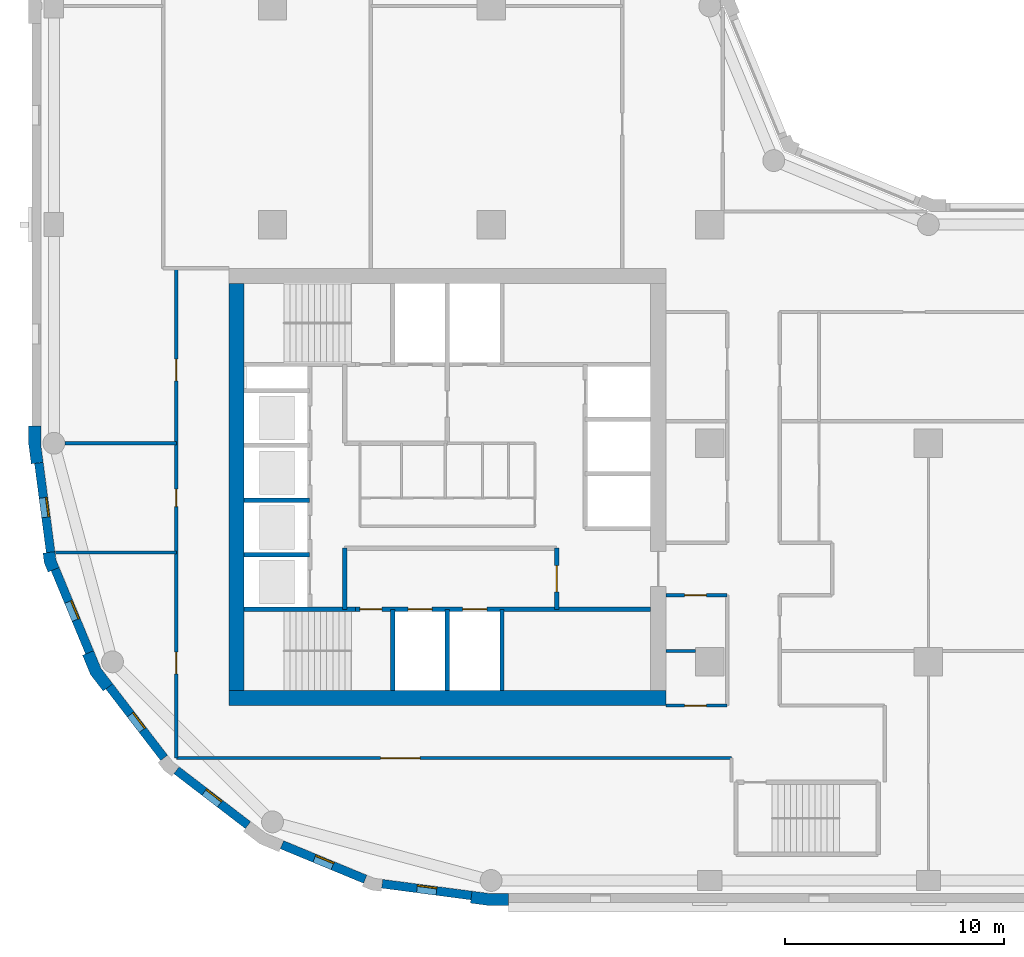
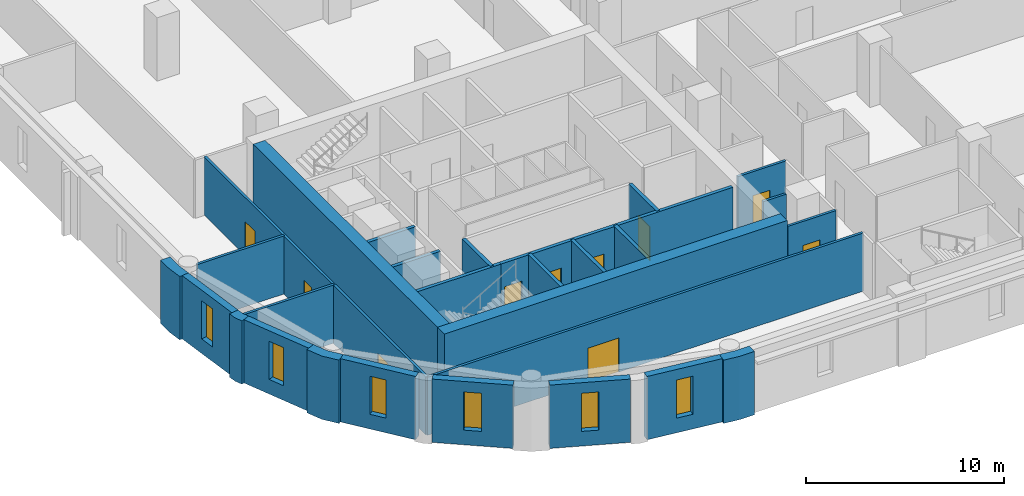
# One storey, part 2 of 10: 28 walls, 10 doors, 6 windows, 16 openings.
"""IFC4 building model written with IfcOpenShell, lengths in metres."""

from ifc_helpers import new_model, si_unit, direction, frame, frame_2d, origin, place, context, subcontext, project, spatial, polyline, rectangle, outline, extrude, material, layer, layer_set, type_object, element, fill, save


model = new_model("IFC4")

# Units and contexts
model_context = context("Model", 3, precision=1e-05, world=origin(), true_north=direction((0.0, 1.0)))
body_context = subcontext(model_context, "Body", "Model", "MODEL_VIEW")
ifc_project = project(units=[si_unit("LENGTHUNIT", "METRE"), si_unit("AREAUNIT", "SQUARE_METRE"), si_unit("VOLUMEUNIT", "CUBIC_METRE"), si_unit("PLANEANGLEUNIT", "RADIAN"), si_unit("MASSUNIT", "GRAM", prefix="KILO")], contexts=[model_context])

# Site, building, storey
site_placement = place(None, origin())
site = spatial("IfcSite", under=ifc_project, at=site_placement, CompositionType="ELEMENT")
building_placement = place(site_placement, origin())
building = spatial("IfcBuilding", under=site, at=building_placement, Name="Qaws Garden Tower", CompositionType="ELEMENT")
storey_placement = place(building_placement, frame((0.0, 0.0, 182.39990234375)))
storey = spatial("IfcBuildingStorey", under=building, at=storey_placement, Name="L44", CompositionType="ELEMENT", Elevation=182.39990234375)

# Wall, opening, window
ifc_material_1 = material(Name="Clay facing brick masonry", Category="masonry")
ifc_layer_1 = layer(ifc_material_1, 0.39990234375)
ifc_layer_set_1 = layer_set([ifc_layer_1], Name="Clay facing brick masonry")
wall_type_1 = type_object("IfcWallType", Name="Brick infill wall 400", PredefinedType="SOLIDWALL", material=ifc_layer_set_1)
wall_1_placement = place(storey_placement, frame((-0.688720703125, 19.102294921875, 0.0), z_axis=(0.0, 0.0, 1.0), x_axis=(0.130514280502, -0.991446429508, 0.0)))
wall_1 = element("IfcWall", 1, at=wall_1_placement, inside=storey, type_object=wall_type_1, Name="E-L44-infill-25", PredefinedType="SOLIDWALL", context=body_context, shape_type="SweptSolid", body=[
    extrude(rectangle(XDim=4.120849609375, YDim=0.39990234375, at=frame_2d((2.060546875, 0.0))), origin(), (0.0, 0.0, 1.0), 3.900146484375),
])
opening_1_placement = place(wall_1_placement, frame((1.610595703125, 0.0, 0.89990234375)))
opening_1 = element("IfcOpeningElement", 2, at=opening_1_placement, cuts=wall_1, Name="Opening W09", PredefinedType="OPENING", context=body_context, shape_type="SweptSolid", body=[
    extrude(rectangle(XDim=0.89990234375, YDim=2.35009765625, at=frame_2d((0.449951171875, 1.175048828125))), frame((0.0, 0.2099609375, 0.0), z_axis=(0.0, -1.0, 0.0), x_axis=(1.0, 0.0, 0.0)), (0.0, 0.0, 1.0), 0.419921875),
])
ifc_material_2 = material(Name="Aluminium framed window, clear glazing", Category="aluminium")
window_type = type_object("IfcWindowType", Name="Slit window 900 x 2350", PartitioningType="SINGLE_PANEL", PredefinedType="WINDOW", material=ifc_material_2)
window_1_placement = place(opening_1_placement, origin())
window_1 = element("IfcWindow", 3, at=window_1_placement, inside=storey, type_object=window_type, Name="E-L44-window-25-0", OverallHeight=2.35009765625, OverallWidth=0.89990234375, PartitioningType="SINGLE_PANEL", PredefinedType="WINDOW", context=body_context, shape_type="SweptSolid", body=[
    extrude(rectangle(XDim=0.89990234375, YDim=2.35009765625, at=frame_2d((0.449951171875, 1.175048828125))), frame((0.0, 0.159912109375, 0.0), z_axis=(0.0, -1.0, 0.0), x_axis=(1.0, 0.0, 0.0)), (0.0, 0.0, 1.0), 0.06005859375),
])
fill(opening_1, window_1)

wall_2_placement = place(storey_placement, frame((0.05712890625, 14.240234375, 0.0), z_axis=(0.0, 0.0, 1.0), x_axis=(0.382721546029, -0.923863744394, 0.0)))
wall_2 = element("IfcWall", 4, at=wall_2_placement, inside=storey, type_object=wall_type_1, Name="E-L44-infill-26", PredefinedType="SOLIDWALL", context=body_context, shape_type="SweptSolid", body=[
    extrude(rectangle(XDim=4.120849609375, YDim=0.39990234375, at=frame_2d((2.060546875, 0.0))), origin(), (0.0, 0.0, 1.0), 3.900146484375),
])
opening_2_placement = place(wall_2_placement, frame((1.610595703125, 0.0, 0.89990234375)))
opening_2 = element("IfcOpeningElement", 5, at=opening_2_placement, cuts=wall_2, Name="Opening W09", PredefinedType="OPENING", context=body_context, shape_type="SweptSolid", body=[
    extrude(rectangle(XDim=0.89990234375, YDim=2.35009765625, at=frame_2d((0.449951171875, 1.175048828125))), frame((0.0, 0.2099609375, 0.0), z_axis=(0.0, -1.0, 0.0), x_axis=(1.0, 0.0, 0.0)), (0.0, 0.0, 1.0), 0.419921875),
])
window_2_placement = place(opening_2_placement, origin())
window_2 = element("IfcWindow", 6, at=window_2_placement, inside=storey, type_object=window_type, Name="E-L44-window-26-0", OverallHeight=2.35009765625, OverallWidth=0.89990234375, PartitioningType="SINGLE_PANEL", PredefinedType="WINDOW", context=body_context, shape_type="SweptSolid", body=[
    extrude(rectangle(XDim=0.89990234375, YDim=2.35009765625, at=frame_2d((0.449951171875, 1.175048828125))), frame((0.0, 0.159912109375, 0.0), z_axis=(0.0, -1.0, 0.0), x_axis=(1.0, 0.0, 0.0)), (0.0, 0.0, 1.0), 0.06005859375),
])
fill(opening_2, window_2)

wall_3_placement = place(storey_placement, frame((2.53173828125, 8.87841796875, 0.0), z_axis=(0.0, 0.0, 1.0), x_axis=(0.608759824817, -0.793354571229, 0.0)))
wall_3 = element("IfcWall", 7, at=wall_3_placement, inside=storey, type_object=wall_type_1, Name="E-L44-infill-27", PredefinedType="SOLIDWALL", context=body_context, shape_type="SweptSolid", body=[
    extrude(rectangle(XDim=4.12109375, YDim=0.39990234375, at=frame_2d((2.060546875, 0.0))), origin(), (0.0, 0.0, 1.0), 3.900146484375),
])
opening_3_placement = place(wall_3_placement, frame((1.610595703125, 0.0, 0.89990234375)))
opening_3 = element("IfcOpeningElement", 8, at=opening_3_placement, cuts=wall_3, Name="Opening W09", PredefinedType="OPENING", context=body_context, shape_type="SweptSolid", body=[
    extrude(rectangle(XDim=0.89990234375, YDim=2.35009765625, at=frame_2d((0.449951171875, 1.175048828125))), frame((0.0, 0.2099609375, 0.0), z_axis=(0.0, -1.0, 0.0), x_axis=(1.0, 0.0, 0.0)), (0.0, 0.0, 1.0), 0.419921875),
])
window_3_placement = place(opening_3_placement, origin())
window_3 = element("IfcWindow", 9, at=window_3_placement, inside=storey, type_object=window_type, Name="E-L44-window-27-0", OverallHeight=2.35009765625, OverallWidth=0.89990234375, PartitioningType="SINGLE_PANEL", PredefinedType="WINDOW", context=body_context, shape_type="SweptSolid", body=[
    extrude(rectangle(XDim=0.89990234375, YDim=2.35009765625, at=frame_2d((0.449951171875, 1.175048828125))), frame((0.0, 0.159912109375, 0.0), z_axis=(0.0, -1.0, 0.0), x_axis=(1.0, 0.0, 0.0)), (0.0, 0.0, 1.0), 0.06005859375),
])
fill(opening_3, window_3)

wall_4_placement = place(storey_placement, frame((5.60888671875, 5.04052734375, 0.0), z_axis=(0.0, 0.0, 1.0), x_axis=(0.793354571229, -0.608759824817, 0.0)))
wall_4 = element("IfcWall", 10, at=wall_4_placement, inside=storey, type_object=wall_type_1, Name="E-L44-infill-28", PredefinedType="SOLIDWALL", context=body_context, shape_type="SweptSolid", body=[
    extrude(rectangle(XDim=4.12109375, YDim=0.39990234375, at=frame_2d((2.060546875, 0.0))), origin(), (0.0, 0.0, 1.0), 3.900146484375),
])
opening_4_placement = place(wall_4_placement, frame((1.610595703125, 0.0, 0.89990234375)))
opening_4 = element("IfcOpeningElement", 11, at=opening_4_placement, cuts=wall_4, Name="Opening W09", PredefinedType="OPENING", context=body_context, shape_type="SweptSolid", body=[
    extrude(rectangle(XDim=0.89990234375, YDim=2.35009765625, at=frame_2d((0.449951171875, 1.175048828125))), frame((0.0, 0.2099609375, 0.0), z_axis=(0.0, -1.0, 0.0), x_axis=(1.0, 0.0, 0.0)), (0.0, 0.0, 1.0), 0.419921875),
])
window_4_placement = place(opening_4_placement, origin())
window_4 = element("IfcWindow", 12, at=window_4_placement, inside=storey, type_object=window_type, Name="E-L44-window-28-0", OverallHeight=2.35009765625, OverallWidth=0.89990234375, PartitioningType="SINGLE_PANEL", PredefinedType="WINDOW", context=body_context, shape_type="SweptSolid", body=[
    extrude(rectangle(XDim=0.89990234375, YDim=2.35009765625, at=frame_2d((0.449951171875, 1.175048828125))), frame((0.0, 0.159912109375, 0.0), z_axis=(0.0, -1.0, 0.0), x_axis=(1.0, 0.0, 0.0)), (0.0, 0.0, 1.0), 0.06005859375),
])
fill(opening_4, window_4)

wall_5_placement = place(storey_placement, frame((10.43310546875, 1.63427734375, 0.0), z_axis=(0.0, 0.0, 1.0), x_axis=(0.923863744394, -0.382721546029, 0.0)))
wall_5 = element("IfcWall", 13, at=wall_5_placement, inside=storey, type_object=wall_type_1, Name="E-L44-infill-29", PredefinedType="SOLIDWALL", context=body_context, shape_type="SweptSolid", body=[
    extrude(rectangle(XDim=4.120849609375, YDim=0.39990234375, at=frame_2d((2.060546875, 0.0))), origin(), (0.0, 0.0, 1.0), 3.900146484375),
])
opening_5_placement = place(wall_5_placement, frame((1.610595703125, 0.0, 0.89990234375)))
opening_5 = element("IfcOpeningElement", 14, at=opening_5_placement, cuts=wall_5, Name="Opening W09", PredefinedType="OPENING", context=body_context, shape_type="SweptSolid", body=[
    extrude(rectangle(XDim=0.89990234375, YDim=2.35009765625, at=frame_2d((0.449951171875, 1.175048828125))), frame((0.0, 0.2099609375, 0.0), z_axis=(0.0, -1.0, 0.0), x_axis=(1.0, 0.0, 0.0)), (0.0, 0.0, 1.0), 0.419921875),
])
window_5_placement = place(opening_5_placement, origin())
window_5 = element("IfcWindow", 15, at=window_5_placement, inside=storey, type_object=window_type, Name="E-L44-window-29-0", OverallHeight=2.35009765625, OverallWidth=0.89990234375, PartitioningType="SINGLE_PANEL", PredefinedType="WINDOW", context=body_context, shape_type="SweptSolid", body=[
    extrude(rectangle(XDim=0.89990234375, YDim=2.35009765625, at=frame_2d((0.449951171875, 1.175048828125))), frame((0.0, 0.159912109375, 0.0), z_axis=(0.0, -1.0, 0.0), x_axis=(1.0, 0.0, 0.0)), (0.0, 0.0, 1.0), 0.06005859375),
])
fill(opening_5, window_5)

wall_6_placement = place(storey_placement, frame((15.0166015625, -0.15087890625, 0.0), z_axis=(0.0, 0.0, 1.0), x_axis=(0.991446429508, -0.130514280502, 0.0)))
wall_6 = element("IfcWall", 16, at=wall_6_placement, inside=storey, type_object=wall_type_1, Name="E-L44-infill-30", PredefinedType="SOLIDWALL", context=body_context, shape_type="SweptSolid", body=[
    extrude(rectangle(XDim=4.120849609375, YDim=0.39990234375, at=frame_2d((2.060546875, 0.0))), origin(), (0.0, 0.0, 1.0), 3.900146484375),
])
opening_6_placement = place(wall_6_placement, frame((1.610595703125, 0.0, 0.89990234375)))
opening_6 = element("IfcOpeningElement", 17, at=opening_6_placement, cuts=wall_6, Name="Opening W09", PredefinedType="OPENING", context=body_context, shape_type="SweptSolid", body=[
    extrude(rectangle(XDim=0.89990234375, YDim=2.35009765625, at=frame_2d((0.449951171875, 1.175048828125))), frame((0.0, 0.2099609375, 0.0), z_axis=(0.0, -1.0, 0.0), x_axis=(1.0, 0.0, 0.0)), (0.0, 0.0, 1.0), 0.419921875),
])
window_6_placement = place(opening_6_placement, origin())
window_6 = element("IfcWindow", 18, at=window_6_placement, inside=storey, type_object=window_type, Name="E-L44-window-30-0", OverallHeight=2.35009765625, OverallWidth=0.89990234375, PartitioningType="SINGLE_PANEL", PredefinedType="WINDOW", context=body_context, shape_type="SweptSolid", body=[
    extrude(rectangle(XDim=0.89990234375, YDim=2.35009765625, at=frame_2d((0.449951171875, 1.175048828125))), frame((0.0, 0.159912109375, 0.0), z_axis=(0.0, -1.0, 0.0), x_axis=(1.0, 0.0, 0.0)), (0.0, 0.0, 1.0), 0.06005859375),
])
fill(opening_6, window_6)

# Walls
ifc_material_3 = material(Name="Clay facing brick masonry", Category="masonry")
ifc_layer_2 = layer(ifc_material_3, 0.550048828125)
ifc_layer_set_2 = layer_set([ifc_layer_2], Name="Clay facing brick masonry")
wall_type_2 = type_object("IfcWallType", Name="Brick kink pier 550 x 600", PredefinedType="SOLIDWALL", material=ifc_layer_set_2)
placement = place(storey_placement, origin())
element("IfcWall", 19, at=placement, inside=storey, type_object=wall_type_2, Name="E-L44-pier-26", PredefinedType="SOLIDWALL", context=body_context, shape_type="SweptSolid", body=[
    extrude(outline(polyline([(-0.34912109375, 14.990478515625), (-0.497802734375, 14.970947265625), (-0.43896484375, 14.5234375), (-0.26611328125, 14.1064453125), (-0.127685546875, 14.163818359375), (0.241943359375, 14.31689453125), (0.096923828125, 14.6669921875), (0.04736328125, 15.042724609375), (-0.34912109375, 14.990478515625)])), origin(), (0.0, 0.0, 1.0), 3.900146484375),
])
ifc_material_4 = material(Name="Clay facing brick masonry", Category="masonry")
ifc_layer_3 = layer(ifc_material_4, 0.550048828125)
ifc_layer_set_3 = layer_set([ifc_layer_3], Name="Clay facing brick masonry")
wall_type_3 = type_object("IfcWallType", Name="Brick pier 550 x 1600", PredefinedType="SOLIDWALL", material=ifc_layer_set_3)
element("IfcWall", 20, at=placement, inside=storey, type_object=wall_type_3, Name="E-L44-pier-00", PredefinedType="SOLIDWALL", context=body_context, shape_type="SweptSolid", body=[
    extrude(outline(polyline([(19.076416015625, -0.886962890625), (19.056640625, -1.03564453125), (19.924560546875, -1.14990234375), (20.800048828125, -1.14990234375), (20.800048828125, -1.0), (20.800048828125, -0.60009765625), (19.960693359375, -0.60009765625), (19.12841796875, -0.490478515625), (19.076416015625, -0.886962890625)])), origin(), (0.0, 0.0, 1.0), 3.900146484375),
])
element("IfcWall", 21, at=placement, inside=storey, type_object=wall_type_3, Name="E-L44-pier-25", PredefinedType="SOLIDWALL", context=body_context, shape_type="SweptSolid", body=[
    extrude(outline(polyline([(-1.0, 20.800048828125), (-1.14990234375, 20.800048828125), (-1.14990234375, 19.924560546875), (-1.03564453125, 19.056640625), (-0.886962890625, 19.076416015625), (-0.490478515625, 19.12841796875), (-0.60009765625, 19.960693359375), (-0.60009765625, 20.800048828125), (-1.0, 20.800048828125)])), origin(), (0.0, 0.0, 1.0), 3.900146484375),
])
element("IfcWall", 22, at=placement, inside=storey, type_object=wall_type_3, Name="E-L44-pier-27", PredefinedType="SOLIDWALL", context=body_context, shape_type="SweptSolid", body=[
    extrude(outline(polyline([(1.449462890625, 10.3564453125), (1.310791015625, 10.299072265625), (1.675048828125, 9.419921875), (2.254150390625, 8.665283203125), (2.373046875, 8.756591796875), (2.6904296875, 9.0), (2.1552734375, 9.697509765625), (1.819091796875, 10.509521484375), (1.449462890625, 10.3564453125)])), origin(), (0.0, 0.0, 1.0), 3.900146484375),
])
ifc_material_5 = material(Name="Concrete C70", Category="concrete")
ifc_layer_4 = layer(ifc_material_5, 0.199951171875)
ifc_layer_set_4 = layer_set([ifc_layer_4], Name="Concrete C70")
wall_type_4 = type_object("IfcWallType", Name="Core shaft wall 200 C70", PredefinedType="SHEAR", material=ifc_layer_set_4)
wall_11_placement = place(storey_placement, frame((8.699951171875, 12.39990234375, 0.0), z_axis=(0.0, 0.0, 1.0), x_axis=(1.0, 0.0, 0.0)))
element("IfcWall", 23, at=wall_11_placement, inside=storey, type_object=wall_type_4, Name="Shaft wall", PredefinedType="SHEAR", context=body_context, shape_type="SweptSolid", body=[
    extrude(rectangle(XDim=5.10009765625, YDim=0.199951171875, at=frame_2d((2.550048828125, 0.0))), origin(), (0.0, 0.0, 1.0), 3.580078125),
])

# Wall, openings, doors
wall_12_placement = place(storey_placement, frame((13.800048828125, 12.39990234375, 0.0), z_axis=(0.0, 0.0, 1.0), x_axis=(1.0, 0.0, 0.0)))
wall_12 = element("IfcWall", 24, at=wall_12_placement, inside=storey, type_object=wall_type_4, Name="Shaft wall", PredefinedType="SHEAR", context=body_context, shape_type="SweptSolid", body=[
    extrude(rectangle(XDim=13.5, YDim=0.199951171875, at=frame_2d((6.75, 0.0))), origin(), (0.0, 0.0, 1.0), 3.580078125),
])
opening_7_placement = place(wall_12_placement, frame((2.39990234375, 0.0, 0.0)))
opening_7 = element("IfcOpeningElement", 25, at=opening_7_placement, cuts=wall_12, Name="Opening LD06", PredefinedType="OPENING", context=body_context, shape_type="SweptSolid", body=[
    extrude(rectangle(XDim=1.10009765625, YDim=2.10009765625, at=frame_2d((0.550048828125, 1.050048828125))), frame((0.0, 0.10986328125, 0.0), z_axis=(0.0, -1.0, 0.0), x_axis=(1.0, 0.0, 0.0)), (0.0, 0.0, 1.0), 0.219970703125),
])
opening_8_placement = place(wall_12_placement, frame((4.89990234375, 0.0, 0.0)))
opening_8 = element("IfcOpeningElement", 26, at=opening_8_placement, cuts=wall_12, Name="Opening LD07", PredefinedType="OPENING", context=body_context, shape_type="SweptSolid", body=[
    extrude(rectangle(XDim=1.10009765625, YDim=2.10009765625, at=frame_2d((0.550048828125, 1.050048828125))), frame((0.0, 0.10986328125, 0.0), z_axis=(0.0, -1.0, 0.0), x_axis=(1.0, 0.0, 0.0)), (0.0, 0.0, 1.0), 0.219970703125),
])
opening_9_placement = place(wall_12_placement, frame((0.199951171875, 0.0, 0.0)))
opening_9 = element("IfcOpeningElement", 27, at=opening_9_placement, cuts=wall_12, Name="Opening SD10", PredefinedType="OPENING", context=body_context, shape_type="SweptSolid", body=[
    extrude(rectangle(XDim=1.0, YDim=2.10009765625, at=frame_2d((0.5, 1.050048828125))), frame((0.0, 0.10986328125, 0.0), z_axis=(0.0, -1.0, 0.0), x_axis=(1.0, 0.0, 0.0)), (0.0, 0.0, 1.0), 0.219970703125),
])
ifc_material_6 = material(Name="Steel S235", Category="steel")
door_type_1 = type_object("IfcDoorType", Name="Landing door 1100x2100", OperationType="DOUBLE_DOOR_SLIDING", PredefinedType="DOOR", material=ifc_material_6)
door_1_placement = place(opening_7_placement, origin())
door_1 = element("IfcDoor", 28, at=door_1_placement, inside=storey, type_object=door_type_1, Name="Lift FF1 landing door", OperationType="DOUBLE_DOOR_SLIDING", OverallHeight=2.10009765625, OverallWidth=1.10009765625, PredefinedType="DOOR", context=body_context, shape_type="SweptSolid", body=[
    extrude(rectangle(XDim=1.10009765625, YDim=2.10009765625, at=frame_2d((0.550048828125, 1.050048828125))), frame((0.0, 0.02490234375, 0.0), z_axis=(0.0, -1.0, 0.0), x_axis=(1.0, 0.0, 0.0)), (0.0, 0.0, 1.0), 0.050048828125),
])
fill(opening_7, door_1)
door_2_placement = place(opening_8_placement, origin())
door_2 = element("IfcDoor", 29, at=door_2_placement, inside=storey, type_object=door_type_1, Name="Lift FF2 landing door", OperationType="DOUBLE_DOOR_SLIDING", OverallHeight=2.10009765625, OverallWidth=1.10009765625, PredefinedType="DOOR", context=body_context, shape_type="SweptSolid", body=[
    extrude(rectangle(XDim=1.10009765625, YDim=2.10009765625, at=frame_2d((0.550048828125, 1.050048828125))), frame((0.0, 0.02490234375, 0.0), z_axis=(0.0, -1.0, 0.0), x_axis=(1.0, 0.0, 0.0)), (0.0, 0.0, 1.0), 0.050048828125),
])
fill(opening_8, door_2)
ifc_material_7 = material(Name="Steel S235", Category="steel")
door_type_2 = type_object("IfcDoorType", Name="Stair door 1000x2100", OperationType="SINGLE_SWING_RIGHT", PredefinedType="DOOR", material=ifc_material_7)
door_3_placement = place(opening_9_placement, frame((1.0, 0.0, 0.0), z_axis=(0.0, 0.0, 1.0), x_axis=(-1.0, 0.0, 0.0)))
door_3 = element("IfcDoor", 30, at=door_3_placement, inside=storey, type_object=door_type_2, Name="Stair 1 door", OperationType="SINGLE_SWING_LEFT", OverallHeight=2.10009765625, OverallWidth=1.0, PredefinedType="DOOR", context=body_context, shape_type="SweptSolid", body=[
    extrude(rectangle(XDim=1.0, YDim=2.10009765625, at=frame_2d((0.5, 1.050048828125))), frame((0.0, 0.02490234375, 0.0), z_axis=(0.0, -1.0, 0.0), x_axis=(1.0, 0.0, 0.0)), (0.0, 0.0, 1.0), 0.050048828125),
])
fill(opening_9, door_3)

# Walls
for number, where, z_axis, x_axis, name in (
    (31, (8.699951171875, 14.89990234375, 0.0), (0.0, 0.0, 1.0), (1.0, 0.0, 0.0), "Shaft wall"),
    (32, (8.699951171875, 17.39990234375, 0.0), (0.0, 0.0, 1.0), (1.0, 0.0, 0.0), "Shaft wall"),
):
    element("IfcWall", number, at=place(storey_placement, frame(where, z_axis=z_axis, x_axis=x_axis)), inside=storey, type_object=wall_type_4, Name=name, PredefinedType="SHEAR", context=body_context, shape_type="SweptSolid", body=[
        extrude(rectangle(XDim=3.0, YDim=0.199951171875, at=frame_2d((1.5, 0.0))), origin(), (0.0, 0.0, 1.0), 3.580078125),
    ])
wall_13_placement = place(storey_placement, frame((13.300048828125, 12.39990234375, 0.0), z_axis=(0.0, 0.0, 1.0), x_axis=(0.0, 1.0, 0.0)))
element("IfcWall", 33, at=wall_13_placement, inside=storey, type_object=wall_type_4, Name="Shaft wall", PredefinedType="SHEAR", context=body_context, shape_type="SweptSolid", body=[
    extrude(rectangle(XDim=2.800048828125, YDim=0.199951171875, at=frame_2d((1.39990234375, 0.0))), origin(), (0.0, 0.0, 1.0), 3.580078125),
])
for number, where, z_axis, x_axis, name in (
    (34, (15.5, 8.699951171875, 0.0), (0.0, 0.0, 1.0), (0.0, 1.0, 0.0), "Shaft wall"),
    (35, (18.0, 8.699951171875, 0.0), (0.0, 0.0, 1.0), (0.0, 1.0, 0.0), "Shaft wall"),
    (36, (20.5, 8.699951171875, 0.0), (0.0, 0.0, 1.0), (0.0, 1.0, 0.0), "Shaft wall"),
):
    element("IfcWall", number, at=place(storey_placement, frame(where, z_axis=z_axis, x_axis=x_axis)), inside=storey, type_object=wall_type_4, Name=name, PredefinedType="SHEAR", context=body_context, shape_type="SweptSolid", body=[
        extrude(rectangle(XDim=3.699951171875, YDim=0.199951171875, at=frame_2d((1.85009765625, 0.0))), origin(), (0.0, 0.0, 1.0), 3.580078125),
    ])

# Wall, opening, door
wall_14_placement = place(storey_placement, frame((23.0, 12.39990234375, 0.0), z_axis=(0.0, 0.0, 1.0), x_axis=(0.0, 1.0, 0.0)))
wall_14 = element("IfcWall", 37, at=wall_14_placement, inside=storey, type_object=wall_type_4, Name="Shaft wall", PredefinedType="SHEAR", context=body_context, shape_type="SweptSolid", body=[
    extrude(rectangle(XDim=2.800048828125, YDim=0.199951171875, at=frame_2d((1.39990234375, 0.0))), origin(), (0.0, 0.0, 1.0), 3.580078125),
])
opening_10_placement = place(wall_14_placement, frame((0.800048828125, 0.0, 0.0)))
opening_10 = element("IfcOpeningElement", 38, at=opening_10_placement, cuts=wall_14, Name="Opening FD15", PredefinedType="OPENING", context=body_context, shape_type="SweptSolid", body=[
    extrude(rectangle(XDim=1.199951171875, YDim=2.10009765625, at=frame_2d((0.60009765625, 1.050048828125))), frame((0.0, 0.10986328125, 0.0), z_axis=(0.0, -1.0, 0.0), x_axis=(1.0, 0.0, 0.0)), (0.0, 0.0, 1.0), 0.219970703125),
])
ifc_material_8 = material(Name="Steel S235", Category="steel")
door_type_3 = type_object("IfcDoorType", Name="Lobby door 1200x2100", OperationType="DOUBLE_DOOR_SINGLE_SWING", PredefinedType="DOOR", material=ifc_material_8)
door_4_placement = place(opening_10_placement, origin())
door_4 = element("IfcDoor", 39, at=door_4_placement, inside=storey, type_object=door_type_3, Name="Fire-fighting lobby door", OperationType="DOUBLE_DOOR_SINGLE_SWING", OverallHeight=2.10009765625, OverallWidth=1.199951171875, PredefinedType="DOOR", context=body_context, shape_type="SweptSolid", body=[
    extrude(rectangle(XDim=1.199951171875, YDim=2.10009765625, at=frame_2d((0.60009765625, 1.050048828125))), frame((0.0, 0.02490234375, 0.0), z_axis=(0.0, -1.0, 0.0), x_axis=(1.0, 0.0, 0.0)), (0.0, 0.0, 1.0), 0.050048828125),
])
fill(opening_10, door_4)

# Walls
ifc_material_9 = material(Name="Concrete C70", Category="concrete")
ifc_layer_5 = layer(ifc_material_9, 0.699951171875)
ifc_layer_set_5 = layer_set([ifc_layer_5], Name="Concrete C70")
wall_type_5 = type_object("IfcWallType", Name="Core wall 700 C70", PredefinedType="SHEAR", material=ifc_layer_set_5)
wall_15_placement = place(storey_placement, frame((8.0, 8.35009765625, 0.0), z_axis=(0.0, 0.0, 1.0), x_axis=(1.0, 0.0, 0.0)))
element("IfcWall", 40, at=wall_15_placement, inside=storey, type_object=wall_type_5, Name="Core wall L44 south", PredefinedType="SHEAR", context=body_context, shape_type="SweptSolid", body=[
    extrude(rectangle(XDim=20.0, YDim=0.699951171875, at=frame_2d((10.0, 0.0))), origin(), (0.0, 0.0, 1.0), 3.900146484375),
])
wall_16_placement = place(storey_placement, frame((8.35009765625, 27.300048828125, 0.0), z_axis=(0.0, 0.0, 1.0), x_axis=(0.0, -1.0, 0.0)))
element("IfcWall", 41, at=wall_16_placement, inside=storey, type_object=wall_type_5, Name="Core wall L44 west", PredefinedType="SHEAR", context=body_context, shape_type="SweptSolid", body=[
    extrude(rectangle(XDim=18.60009765625, YDim=0.699951171875, at=frame_2d((9.300048828125, 0.0))), origin(), (0.0, 0.0, 1.0), 3.900146484375),
])

# Wall, openings, doors
ifc_material_10 = material(Name="Gypsum board partition")
ifc_layer_6 = layer(ifc_material_10, 0.14990234375)
ifc_layer_set_6 = layer_set([ifc_layer_6], Name="Gypsum board partition")
wall_type_6 = type_object("IfcWallType", Name="PARTITION 150 EI 60", PredefinedType="PARTITIONING", material=ifc_layer_set_6)
wall_17_placement = place(storey_placement, frame((5.60009765625, 5.60009765625, 0.0), z_axis=(0.0, 0.0, 1.0), x_axis=(0.0, 1.0, 0.0)))
wall_17 = element("IfcWall", 42, at=wall_17_placement, inside=storey, type_object=wall_type_6, Name="O-L44-wall-009", PredefinedType="PARTITIONING", context=body_context, shape_type="SweptSolid", body=[
    extrude(rectangle(XDim=22.39990234375, YDim=0.14990234375, at=frame_2d((11.199951171875, 0.0))), origin(), (0.0, 0.0, 1.0), 3.580078125),
])
opening_11_placement = place(wall_17_placement, frame((3.85009765625, 0.0, 0.0)))
opening_11 = element("IfcOpeningElement", 43, at=opening_11_placement, cuts=wall_17, Name="Opening B501", PredefinedType="OPENING", context=body_context, shape_type="SweptSolid", body=[
    extrude(rectangle(XDim=1.0, YDim=2.10009765625, at=frame_2d((0.5, 1.050048828125))), frame((0.0, 0.0849609375, 0.0), z_axis=(0.0, -1.0, 0.0), x_axis=(1.0, 0.0, 0.0)), (0.0, 0.0, 1.0), 0.169921875),
])
opening_12_placement = place(wall_17_placement, frame((11.5, 0.0, 0.0)))
opening_12 = element("IfcOpeningElement", 44, at=opening_12_placement, cuts=wall_17, Name="Opening B502", PredefinedType="OPENING", context=body_context, shape_type="SweptSolid", body=[
    extrude(rectangle(XDim=0.800048828125, YDim=2.10009765625, at=frame_2d((0.39990234375, 1.050048828125))), frame((0.0, 0.0849609375, 0.0), z_axis=(0.0, -1.0, 0.0), x_axis=(1.0, 0.0, 0.0)), (0.0, 0.0, 1.0), 0.169921875),
])
opening_13_placement = place(wall_17_placement, frame((17.25, 0.0, 0.0)))
opening_13 = element("IfcOpeningElement", 45, at=opening_13_placement, cuts=wall_17, Name="Opening B511", PredefinedType="OPENING", context=body_context, shape_type="SweptSolid", body=[
    extrude(rectangle(XDim=1.0, YDim=2.10009765625, at=frame_2d((0.5, 1.050048828125))), frame((0.0, 0.0849609375, 0.0), z_axis=(0.0, -1.0, 0.0), x_axis=(1.0, 0.0, 0.0)), (0.0, 0.0, 1.0), 0.169921875),
])
ifc_material_11 = material(Name="Timber door leaf", Category="wood")
door_type_4 = type_object("IfcDoorType", Name="STORE DOOR 800 X 2100", OperationType="SINGLE_SWING_LEFT", PredefinedType="DOOR", material=ifc_material_11)
door_5_placement = place(opening_12_placement, origin())
door_5 = element("IfcDoor", 46, at=door_5_placement, inside=storey, type_object=door_type_4, Name="O-L44-door-002", OperationType="SINGLE_SWING_RIGHT", OverallHeight=2.10009765625, OverallWidth=0.800048828125, PredefinedType="DOOR", context=body_context, shape_type="SweptSolid", body=[
    extrude(rectangle(XDim=0.800048828125, YDim=2.10009765625, at=frame_2d((0.39990234375, 1.050048828125))), frame((0.0, 0.02490234375, 0.0), z_axis=(0.0, -1.0, 0.0), x_axis=(1.0, 0.0, 0.0)), (0.0, 0.0, 1.0), 0.050048828125),
])
fill(opening_12, door_5)
ifc_material_12 = material(Name="Timber door leaf", Category="wood")
door_type_5 = type_object("IfcDoorType", Name="TENANCY ENTRANCE DOOR 1000 X 2100", OperationType="SINGLE_SWING_LEFT", PredefinedType="DOOR", material=ifc_material_12)
door_6_placement = place(opening_11_placement, origin())
door_6 = element("IfcDoor", 47, at=door_6_placement, inside=storey, type_object=door_type_5, Name="O-L44-door-001", OperationType="SINGLE_SWING_RIGHT", OverallHeight=2.10009765625, OverallWidth=1.0, PredefinedType="DOOR", context=body_context, shape_type="SweptSolid", body=[
    extrude(rectangle(XDim=1.0, YDim=2.10009765625, at=frame_2d((0.5, 1.050048828125))), frame((0.0, 0.02490234375, 0.0), z_axis=(0.0, -1.0, 0.0), x_axis=(1.0, 0.0, 0.0)), (0.0, 0.0, 1.0), 0.050048828125),
])
fill(opening_11, door_6)
door_7_placement = place(opening_13_placement, origin())
door_7 = element("IfcDoor", 48, at=door_7_placement, inside=storey, type_object=door_type_5, Name="O-L44-door-011", OperationType="SINGLE_SWING_RIGHT", OverallHeight=2.10009765625, OverallWidth=1.0, PredefinedType="DOOR", context=body_context, shape_type="SweptSolid", body=[
    extrude(rectangle(XDim=1.0, YDim=2.10009765625, at=frame_2d((0.5, 1.050048828125))), frame((0.0, 0.02490234375, 0.0), z_axis=(0.0, -1.0, 0.0), x_axis=(1.0, 0.0, 0.0)), (0.0, 0.0, 1.0), 0.050048828125),
])
fill(opening_13, door_7)

# Wall, opening, door
wall_18_placement = place(storey_placement, frame((5.60009765625, 5.60009765625, 0.0), z_axis=(0.0, 0.0, 1.0), x_axis=(1.0, 0.0, 0.0)))
wall_18 = element("IfcWall", 49, at=wall_18_placement, inside=storey, type_object=wall_type_6, Name="O-L44-wall-028", PredefinedType="PARTITIONING", context=body_context, shape_type="SweptSolid", body=[
    extrude(rectangle(XDim=25.39990234375, YDim=0.14990234375, at=frame_2d((12.699951171875, 0.0))), origin(), (0.0, 0.0, 1.0), 3.580078125),
])
opening_14_placement = place(wall_18_placement, frame((9.35009765625, 0.0, 0.0)))
opening_14 = element("IfcOpeningElement", 50, at=opening_14_placement, cuts=wall_18, Name="Opening B509", PredefinedType="OPENING", context=body_context, shape_type="SweptSolid", body=[
    extrude(rectangle(XDim=1.800048828125, YDim=2.10009765625, at=frame_2d((0.89990234375, 1.050048828125))), frame((0.0, 0.0849609375, 0.0), z_axis=(0.0, -1.0, 0.0), x_axis=(1.0, 0.0, 0.0)), (0.0, 0.0, 1.0), 0.169921875),
])
ifc_material_13 = material(Name="Timber door leaf", Category="wood")
door_type_6 = type_object("IfcDoorType", Name="DOUBLE DOOR 1800 X 2100", OperationType="DOUBLE_DOOR_SINGLE_SWING", PredefinedType="DOOR", material=ifc_material_13)
door_8_placement = place(opening_14_placement, frame((1.800048828125, 0.0, 0.0), z_axis=(0.0, 0.0, 1.0), x_axis=(-1.0, 0.0, 0.0)))
door_8 = element("IfcDoor", 51, at=door_8_placement, inside=storey, type_object=door_type_6, Name="O-L44-door-009", OperationType="DOUBLE_DOOR_SINGLE_SWING", OverallHeight=2.10009765625, OverallWidth=1.800048828125, PredefinedType="DOOR", context=body_context, shape_type="SweptSolid", body=[
    extrude(rectangle(XDim=1.800048828125, YDim=2.10009765625, at=frame_2d((0.89990234375, 1.050048828125))), frame((0.0, 0.02490234375, 0.0), z_axis=(0.0, -1.0, 0.0), x_axis=(1.0, 0.0, 0.0)), (0.0, 0.0, 1.0), 0.050048828125),
])
fill(opening_14, door_8)

wall_19_placement = place(storey_placement, frame((28.0, 8.0, 0.0), z_axis=(0.0, 0.0, 1.0), x_axis=(1.0, 0.0, 0.0)))
wall_19 = element("IfcWall", 52, at=wall_19_placement, inside=storey, type_object=wall_type_6, Name="O-L44-wall-029", PredefinedType="PARTITIONING", context=body_context, shape_type="SweptSolid", body=[
    extrude(rectangle(XDim=2.800048828125, YDim=0.14990234375, at=frame_2d((1.39990234375, 0.0))), origin(), (0.0, 0.0, 1.0), 3.580078125),
])
opening_15_placement = place(wall_19_placement, frame((0.85009765625, 0.0, 0.0)))
opening_15 = element("IfcOpeningElement", 53, at=opening_15_placement, cuts=wall_19, Name="Opening B506", PredefinedType="OPENING", context=body_context, shape_type="SweptSolid", body=[
    extrude(rectangle(XDim=1.0, YDim=2.10009765625, at=frame_2d((0.5, 1.050048828125))), frame((0.0, 0.0849609375, 0.0), z_axis=(0.0, -1.0, 0.0), x_axis=(1.0, 0.0, 0.0)), (0.0, 0.0, 1.0), 0.169921875),
])
door_9_placement = place(opening_15_placement, origin())
door_9 = element("IfcDoor", 54, at=door_9_placement, inside=storey, type_object=door_type_5, Name="O-L44-door-006", OperationType="SINGLE_SWING_RIGHT", OverallHeight=2.10009765625, OverallWidth=1.0, PredefinedType="DOOR", context=body_context, shape_type="SweptSolid", body=[
    extrude(rectangle(XDim=1.0, YDim=2.10009765625, at=frame_2d((0.5, 1.050048828125))), frame((0.0, 0.02490234375, 0.0), z_axis=(0.0, -1.0, 0.0), x_axis=(1.0, 0.0, 0.0)), (0.0, 0.0, 1.0), 0.050048828125),
])
fill(opening_15, door_9)

# Wall
wall_20_placement = place(storey_placement, frame((28.0, 10.5, 0.0), z_axis=(0.0, 0.0, 1.0), x_axis=(1.0, 0.0, 0.0)))
element("IfcWall", 55, at=wall_20_placement, inside=storey, type_object=wall_type_6, Name="O-L44-wall-031", PredefinedType="PARTITIONING", context=body_context, shape_type="SweptSolid", body=[
    extrude(rectangle(XDim=1.35009765625, YDim=0.14990234375, at=frame_2d((0.675048828125, 0.0))), origin(), (0.0, 0.0, 1.0), 3.580078125),
])

# Wall, opening, door
wall_21_placement = place(storey_placement, frame((28.0, 13.050048828125, 0.0), z_axis=(0.0, 0.0, 1.0), x_axis=(1.0, 0.0, 0.0)))
wall_21 = element("IfcWall", 56, at=wall_21_placement, inside=storey, type_object=wall_type_6, Name="O-L44-wall-034", PredefinedType="PARTITIONING", context=body_context, shape_type="SweptSolid", body=[
    extrude(rectangle(XDim=2.800048828125, YDim=0.14990234375, at=frame_2d((1.39990234375, 0.0))), origin(), (0.0, 0.0, 1.0), 3.580078125),
])
opening_16_placement = place(wall_21_placement, frame((0.85009765625, 0.0, 0.0)))
opening_16 = element("IfcOpeningElement", 57, at=opening_16_placement, cuts=wall_21, Name="Opening B519", PredefinedType="OPENING", context=body_context, shape_type="SweptSolid", body=[
    extrude(rectangle(XDim=1.0, YDim=2.10009765625, at=frame_2d((0.5, 1.050048828125))), frame((0.0, 0.0849609375, 0.0), z_axis=(0.0, -1.0, 0.0), x_axis=(1.0, 0.0, 0.0)), (0.0, 0.0, 1.0), 0.169921875),
])
door_10_placement = place(opening_16_placement, frame((1.0, 0.0, 0.0), z_axis=(0.0, 0.0, 1.0), x_axis=(-1.0, 0.0, 0.0)))
door_10 = element("IfcDoor", 58, at=door_10_placement, inside=storey, type_object=door_type_5, Name="O-L44-door-019", OperationType="SINGLE_SWING_LEFT", OverallHeight=2.10009765625, OverallWidth=1.0, PredefinedType="DOOR", context=body_context, shape_type="SweptSolid", body=[
    extrude(rectangle(XDim=1.0, YDim=2.10009765625, at=frame_2d((0.5, 1.050048828125))), frame((0.0, 0.02490234375, 0.0), z_axis=(0.0, -1.0, 0.0), x_axis=(1.0, 0.0, 0.0)), (0.0, 0.0, 1.0), 0.050048828125),
])
fill(opening_16, door_10)

# Walls
wall_22_placement = place(storey_placement, frame((0.06298828125, 15.0, 0.0), z_axis=(0.0, 0.0, 1.0), x_axis=(1.0, 0.0, 0.0)))
element("IfcWall", 59, at=wall_22_placement, inside=storey, type_object=wall_type_6, Name="O-L44-wall-036", PredefinedType="PARTITIONING", context=body_context, shape_type="SweptSolid", body=[
    extrude(rectangle(XDim=5.537109375, YDim=0.14990234375, at=frame_2d((2.7685546875, 0.0))), origin(), (0.0, 0.0, 1.0), 3.580078125),
])
wall_23_placement = place(storey_placement, frame((0.5, 20.0, 0.0), z_axis=(0.0, 0.0, 1.0), x_axis=(1.0, 0.0, 0.0)))
element("IfcWall", 60, at=wall_23_placement, inside=storey, type_object=wall_type_6, Name="O-L44-wall-039", PredefinedType="PARTITIONING", context=body_context, shape_type="SweptSolid", body=[
    extrude(rectangle(XDim=5.10009765625, YDim=0.14990234375, at=frame_2d((2.550048828125, 0.0))), origin(), (0.0, 0.0, 1.0), 3.580078125),
])

save(model, "model.ifc")
